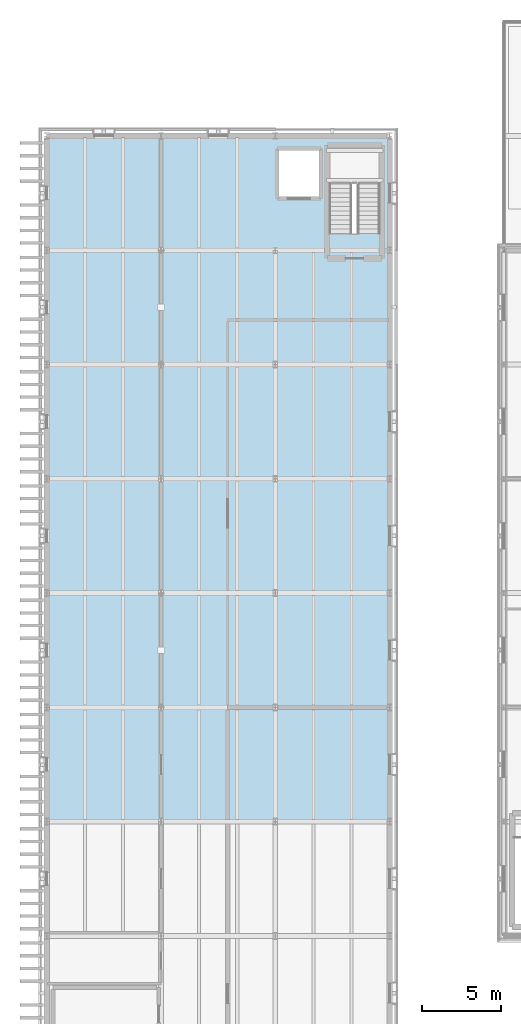
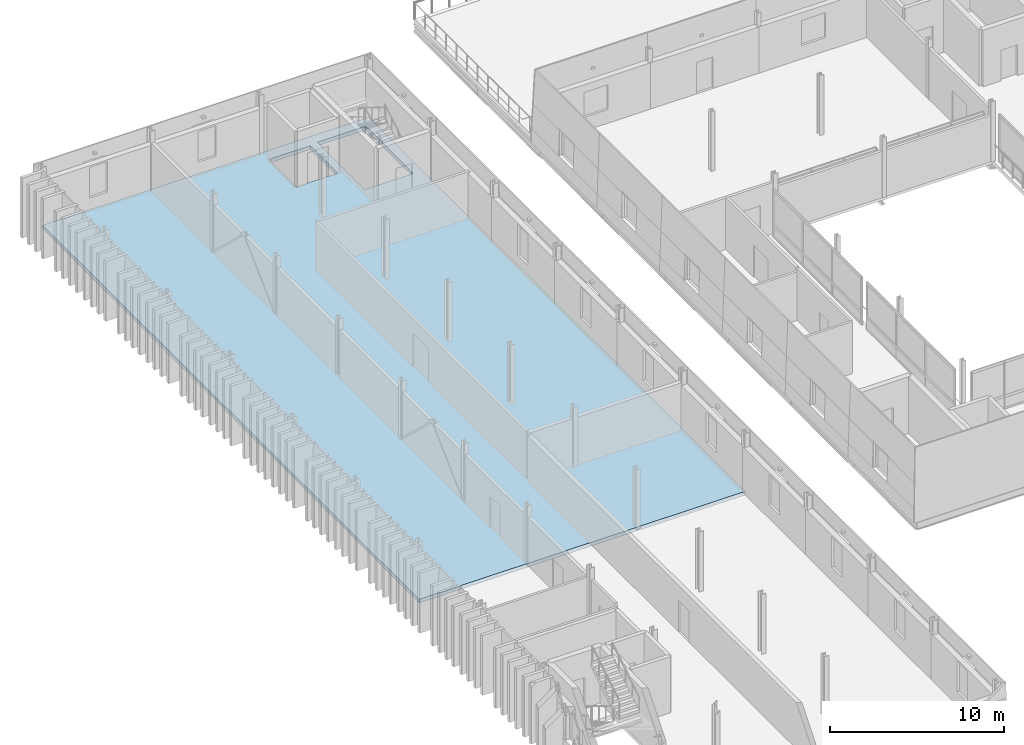
# One storey, part 27 of 66: 1 slab.
"""IFC4 building model written with IfcOpenShell, lengths in metres."""

from ifc_helpers import new_model, si_unit, direction, frame, origin, place, context, subcontext, project, spatial, polyline, outline, extrude, material, layer, layer_set, type_object, element, save


model = new_model("IFC4")

# Units and contexts
model_context = context("Model", 3, precision=1e-05, world=origin(), true_north=direction((0.0, 1.0)))
body_context = subcontext(model_context, "Body", "Model", "MODEL_VIEW")
ifc_project = project(units=[si_unit("LENGTHUNIT", "METRE"), si_unit("AREAUNIT", "SQUARE_METRE"), si_unit("VOLUMEUNIT", "CUBIC_METRE"), si_unit("PLANEANGLEUNIT", "RADIAN"), si_unit("MASSUNIT", "GRAM", prefix="KILO")], contexts=[model_context])

# Site, building, storey
site_placement = place(None, origin())
site = spatial("IfcSite", under=ifc_project, at=site_placement, CompositionType="ELEMENT")
building_placement = place(site_placement, origin())
building = spatial("IfcBuilding", under=site, at=building_placement, Name="Narikvali Park Central Library", CompositionType="ELEMENT")
storey_placement = place(building_placement, frame((0.0, 0.0, 18.60009765625)))
storey = spatial("IfcBuildingStorey", under=building, at=storey_placement, Name="L04", CompositionType="ELEMENT", Elevation=18.60009765625)

# Slab
ifc_material = material(Name="Concrete C35/45", Category="concrete")
ifc_layer = layer(ifc_material, 0.260009765625, Name="Concrete C35/45")
ifc_layer_set = layer_set([ifc_layer], Name="Concrete C35/45")
slab_type = type_object("IfcSlabType", Name="Upper Composite Floor Slab 260", PredefinedType="FLOOR", material=ifc_layer_set)
slab_placement = place(storey_placement, frame((0.0, 0.0, -0.260009765625)))
element("IfcSlab", 1, at=slab_placement, inside=storey, type_object=slab_type, Name="V5 L04 Structural Slab Panel 2", PredefinedType="FLOOR", context=body_context, shape_type="SweptSolid", body=[
    extrude(outline(polyline([(0.0, 64.800048828125), (21.60009765625, 64.800048828125), (21.60009765625, 108.0), (0.0, 108.0), (0.0, 64.800048828125)]), holes=[polyline([(17.800048828125, 101.85009765625), (21.0, 101.85009765625), (21.0, 107.300048828125), (17.800048828125, 107.300048828125), (17.800048828125, 101.85009765625)]), polyline([(14.52001953125, 104.050048828125), (17.27001953125, 104.050048828125), (17.27001953125, 107.199951171875), (14.52001953125, 107.199951171875), (14.52001953125, 104.050048828125)])]), origin(), (0.0, 0.0, 1.0), 0.260009765625),
])

save(model, "model.ifc")
